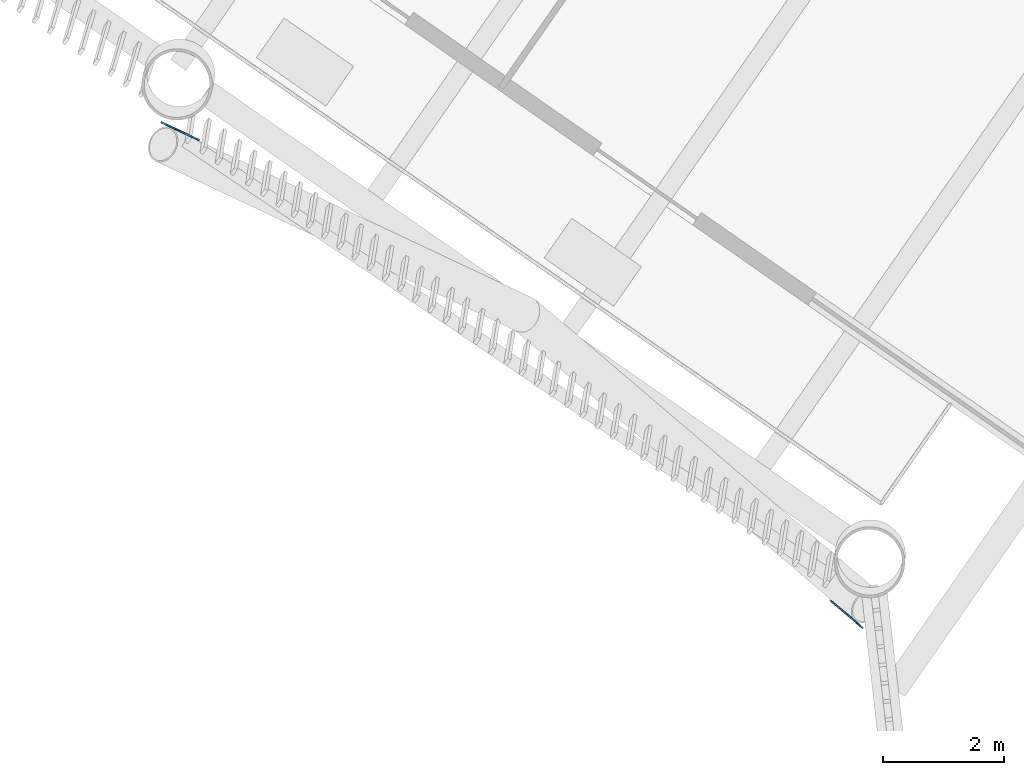
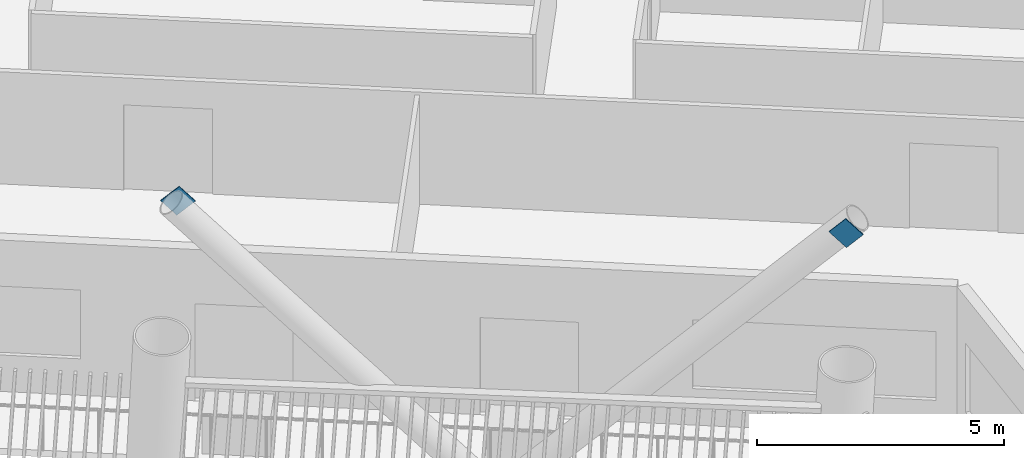
# One storey, part 10 of 23: 2 discrete accessories.
"""IFC4 building model written with IfcOpenShell, lengths in metres."""

from ifc_helpers import new_model, si_unit, direction, frame, origin, origin_2d, place, context, subcontext, project, spatial, rectangle, extrude, material, material_profile, profile_set, type_object, element, save


model = new_model("IFC4")

# Units and contexts
model_context = context("Model", 3, precision=1e-05, world=origin(), true_north=direction((0.0, 1.0)))
body_context = subcontext(model_context, "Body", "Model", "MODEL_VIEW")
ifc_project = project(units=[si_unit("LENGTHUNIT", "METRE"), si_unit("AREAUNIT", "SQUARE_METRE"), si_unit("VOLUMEUNIT", "CUBIC_METRE"), si_unit("PLANEANGLEUNIT", "RADIAN"), si_unit("MASSUNIT", "GRAM", prefix="KILO")], contexts=[model_context])

# Site, building, storey
site_placement = place(None, origin())
site = spatial("IfcSite", under=ifc_project, at=site_placement, CompositionType="ELEMENT")
building_placement = place(site_placement, origin())
building = spatial("IfcBuilding", under=site, at=building_placement, Name="Tarsis Ring Headquarters", CompositionType="ELEMENT")
storey_placement = place(building_placement, frame((0.0, 0.0, 131.800048828125)))
storey = spatial("IfcBuildingStorey", under=building, at=storey_placement, Name="L30", CompositionType="ELEMENT", Elevation=131.800048828125)

# Discrete accessories
ifc_material = material(Name="Structural steel S355", Category="steel")
ifc_material_profile = material_profile(ifc_material, rectangle(XDim=0.02490234375, YDim=0.5, at=origin_2d()), Name="PL 25x500")
ifc_profile_set = profile_set([ifc_material_profile], Name="Structural steel S355")
discrete_accessory_type = type_object("IfcDiscreteAccessoryType", Name="Gusset plate Exo brace 25", PredefinedType="BRACKET", material=ifc_profile_set)
for number, where, z_axis, x_axis, name in (
    (1, (-29.22607421875, 1.040771484375, 7.800048828125), (-0.524808571604, 0.447673916429, -0.723991731804), (-0.648982753488, -0.760803118865, 0.0), "Gusset plate GP5"),
    (2, (-40.516845703125, 9.20263671875, 7.622314453125), (0.59286235294, -0.278850414768, -0.755484398681), (0.42561754317, 0.904903147826, 0.0), "Gusset plate GP5"),
):
    element("IfcDiscreteAccessory", number, at=place(storey_placement, frame(where, z_axis=z_axis, x_axis=x_axis)), inside=storey, type_object=discrete_accessory_type, Name=name, PredefinedType="BRACKET", context=body_context, shape_type="SweptSolid", body=[
        extrude(rectangle(XDim=0.02490234375, YDim=0.5, at=origin_2d()), origin(), (0.0, 0.0, 1.0), 0.5),
    ])

save(model, "model.ifc")
